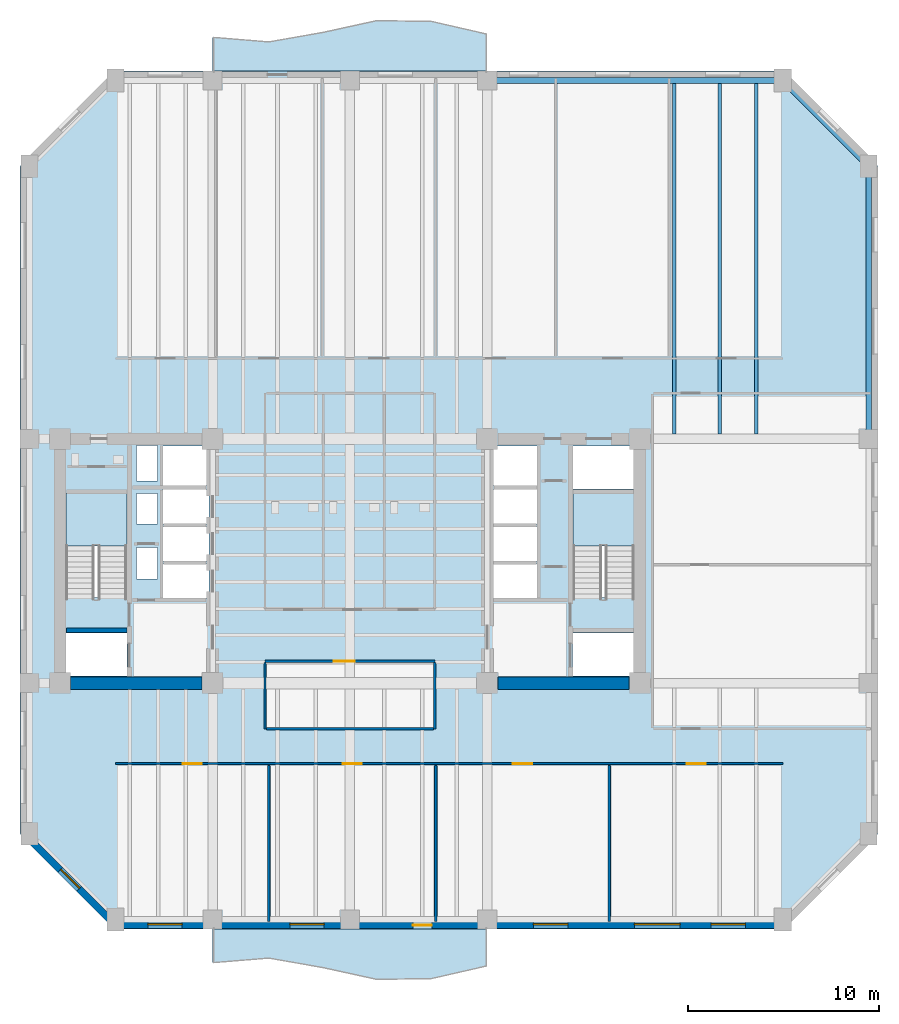
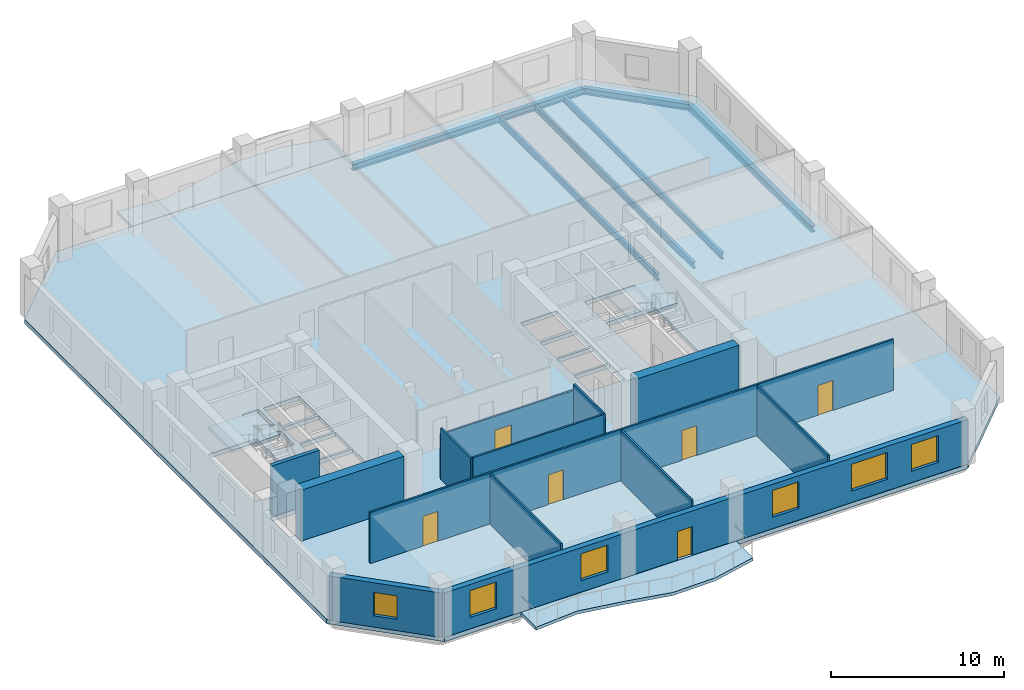
# One storey, part 2 of 8: 13 walls, 6 beams, 6 doors, 6 windows, 5 slabs, 12 openings, 2 elements without a shape of their own.
"""IFC4 building model written with IfcOpenShell, lengths in metres."""

from ifc_helpers import new_model, si_unit, direction, frame, frame_2d, origin, origin_2d, place, context, subcontext, project, spatial, polyline, rectangle, i_section, outline, extrude, material, layer, layer_set, material_profile, profile_set, type_object, element, fill, aggregate, save


model = new_model("IFC4")

# Units and contexts
model_context = context("Model", 3, precision=1e-05, world=origin(), true_north=direction((0.0, 1.0)))
body_context = subcontext(model_context, "Body", "Model", "MODEL_VIEW")
ifc_project = project(units=[si_unit("LENGTHUNIT", "METRE"), si_unit("AREAUNIT", "SQUARE_METRE"), si_unit("VOLUMEUNIT", "CUBIC_METRE"), si_unit("PLANEANGLEUNIT", "RADIAN"), si_unit("MASSUNIT", "GRAM", prefix="KILO")], contexts=[model_context])

# Site, building, storey
site_placement = place(None, origin())
site = spatial("IfcSite", under=ifc_project, at=site_placement, CompositionType="ELEMENT")
building_placement = place(site_placement, origin())
building = spatial("IfcBuilding", under=site, at=building_placement, Name="Kranthara Brick Stack", CompositionType="ELEMENT")
storey_placement = place(building_placement, frame((0.0, 0.0, 82.800048828125)))
storey = spatial("IfcBuildingStorey", under=building, at=storey_placement, Name="L20", CompositionType="ELEMENT", Elevation=82.800048828125)

# Beams
ifc_material_1 = material(Name="Steel S355", Category="steel")
ifc_material_profile_1 = material_profile(ifc_material_1, i_section(OverallWidth=0.18994140625, OverallDepth=0.449951171875, WebThickness=0.009521484375, FlangeThickness=0.0146484375, at=origin_2d()), Name="IPE 450")
ifc_profile_set_1 = profile_set([ifc_material_profile_1], Name="Steel S355")
beam_type_1 = type_object("IfcBeamType", Name="BM-JST-IPE450", PredefinedType="JOIST", material=ifc_profile_set_1)
for number, where, z_axis, x_axis, name in (
    (1, (45.0, 33.85009765625, -0.525146484375), (0.0, 1.0, 0.0), (-1.0, 0.0, 0.0), "L20 North Wing Floor Joist 071"),
    (2, (47.39990234375, 33.85009765625, -0.525146484375), (0.0, 1.0, 0.0), (-1.0, 0.0, 0.0), "L20 North Wing Floor Joist 073"),
    (3, (49.300048828125, 33.85009765625, -0.525146484375), (0.0, 1.0, 0.0), (-1.0, 0.0, 0.0), "L20 North Wing Floor Joist 075"),
):
    element("IfcBeam", number, at=place(storey_placement, frame(where, z_axis=z_axis, x_axis=x_axis)), inside=storey, type_object=beam_type_1, Name=name, PredefinedType="JOIST", context=body_context, shape_type="SweptSolid", body=[
        extrude(i_section(OverallWidth=0.18994140625, OverallDepth=0.449951171875, WebThickness=0.009521484375, FlangeThickness=0.0146484375, at=origin_2d()), origin(), (0.0, 0.0, 1.0), 18.39990234375),
    ])
ifc_material_2 = material(Name="Steel S355", Category="steel")
ifc_material_profile_2 = material_profile(ifc_material_2, i_section(OverallWidth=0.300048828125, OverallDepth=0.449951171875, WebThickness=0.013916015625, FlangeThickness=0.02587890625, at=origin_2d()), Name="HEB 450")
ifc_profile_set_2 = profile_set([ifc_material_profile_2], Name="Steel S355")
beam_type_2 = type_object("IfcBeamType", Name="BM-STL-HEB450", PredefinedType="SPANDREL", material=ifc_profile_set_2)
beam_1_placement = place(storey_placement, frame((35.199951171875, 52.39990234375, -0.525146484375), z_axis=(1.0, 0.0, 0.0), x_axis=(0.0, 1.0, 0.0)))
element("IfcBeam", 4, at=beam_1_placement, inside=storey, type_object=beam_type_2, Name="L20 Perimeter Spandrel Beam 012", PredefinedType="SPANDREL", context=body_context, shape_type="SweptSolid", body=[
    extrude(i_section(OverallWidth=0.300048828125, OverallDepth=0.449951171875, WebThickness=0.013916015625, FlangeThickness=0.02587890625, at=origin_2d()), origin(), (0.0, 0.0, 1.0), 15.5),
])
beam_2_placement = place(storey_placement, frame((55.199951171875, 33.60009765625, -0.525146484375), z_axis=(0.0, 1.0, 0.0), x_axis=(-1.0, 0.0, 0.0)))
element("IfcBeam", 5, at=beam_2_placement, inside=storey, type_object=beam_type_2, Name="L20 Perimeter Spandrel Beam 018", PredefinedType="SPANDREL", context=body_context, shape_type="SweptSolid", body=[
    extrude(i_section(OverallWidth=0.300048828125, OverallDepth=0.449951171875, WebThickness=0.013916015625, FlangeThickness=0.02587890625, at=origin_2d()), origin(), (0.0, 0.0, 1.0), 14.2998046875),
])
beam_3_placement = place(storey_placement, frame((50.699951171875, 52.39990234375, -0.525146484375), z_axis=(0.707106781187, -0.707106781187, 0.0), x_axis=(0.707106781187, 0.707106781187, 0.0)))
element("IfcBeam", 6, at=beam_3_placement, inside=storey, type_object=beam_type_2, Name="L20 Chamfer Corner Spandrel 022", PredefinedType="SPANDREL", context=body_context, shape_type="SweptSolid", body=[
    extrude(i_section(OverallWidth=0.300048828125, OverallDepth=0.449951171875, WebThickness=0.013916015625, FlangeThickness=0.02587890625, at=origin_2d()), origin(), (0.0, 0.0, 1.0), 6.364013671875),
])

# Slabs
ifc_material_3 = material(Name="Concrete C45/55", Category="concrete")
ifc_layer_1 = layer(ifc_material_3, 0.219970703125)
ifc_layer_set_1 = layer_set([ifc_layer_1], Name="Concrete C45/55")
slab_type_1 = type_object("IfcSlabType", Name="SLB-BALC-220", PredefinedType="FLOOR", material=ifc_layer_set_1)
slab_1_placement = place(storey_placement, frame((0.0, 0.0, -0.219970703125)))
element("IfcSlab", 7, at=slab_1_placement, inside=storey, type_object=slab_type_1, Name="L20 South Rippling Balcony Slab", PredefinedType="FLOOR", context=body_context, shape_type="SweptSolid", body=[
    extrude(outline(polyline([(20.800048828125, 7.89990234375), (35.199951171875, 7.89990234375), (35.199951171875, 5.958251953125), (32.320068359375, 5.2880859375), (29.43994140625, 5.230224609375), (26.56005859375, 5.857421875), (23.679931640625, 6.380859375), (20.800048828125, 6.142333984375), (20.800048828125, 7.89990234375)])), origin(), (0.0, 0.0, 1.0), 0.219970703125),
])
slab_2_placement = place(storey_placement, frame((0.0, 0.0, -0.219970703125)))
element("IfcSlab", 8, at=slab_2_placement, inside=storey, type_object=slab_type_1, Name="L20 North Rippling Balcony Slab", PredefinedType="FLOOR", context=body_context, shape_type="SweptSolid", body=[
    extrude(outline(polyline([(35.199951171875, 52.89990234375), (20.800048828125, 52.89990234375), (20.800048828125, 54.65771484375), (23.679931640625, 54.419189453125), (26.56005859375, 54.942626953125), (29.43994140625, 55.569580078125), (32.320068359375, 55.51171875), (35.199951171875, 54.841796875), (35.199951171875, 52.89990234375)])), origin(), (0.0, 0.0, 1.0), 0.219970703125),
])

# Stair, slab
ifc_material_4 = material(Name="Concrete C45/55", Category="concrete")
stair_type = type_object("IfcStairType", Name="ST-CORE-22R", PredefinedType="HALF_TURN_STAIR", material=ifc_material_4)
stair_1_placement = place(storey_placement, origin())
stair_1 = element("IfcStair", 9, at=stair_1_placement, inside=storey, type_object=stair_type, Name="L20 West Core Protected Exit Stair ST01", PredefinedType="HALF_TURN_STAIR")
ifc_material_5 = material(Name="Concrete C45/55", Category="concrete")
ifc_layer_2 = layer(ifc_material_5, 0.199951171875)
ifc_layer_set_2 = layer_set([ifc_layer_2], Name="Concrete C45/55")
slab_type_2 = type_object("IfcSlabType", Name="SLB-LANDING-200", PredefinedType="LANDING", material=ifc_layer_set_2)
slab_3_placement = place(storey_placement, frame((0.0, 0.0, 1.75)))
slab_3 = element("IfcSlab", 10, at=slab_3_placement, type_object=slab_type_2, Name="ST01 landing 1", PredefinedType="LANDING", context=body_context, shape_type="SweptSolid", body=[
    extrude(outline(polyline([(16.300048828125, 28.0), (16.300048828125, 30.75), (13.10009765625, 30.75), (13.10009765625, 28.0), (16.300048828125, 28.0)])), origin(), (0.0, 0.0, 1.0), 0.199951171875),
])
aggregate(stair_1, [slab_3])

stair_2_placement = place(storey_placement, origin())
stair_2 = element("IfcStair", 11, at=stair_2_placement, inside=storey, type_object=stair_type, Name="L20 East Core Protected Exit Stair ST02", PredefinedType="HALF_TURN_STAIR")
slab_4_placement = place(storey_placement, frame((0.0, 0.0, 1.75)))
slab_4 = element("IfcSlab", 12, at=slab_4_placement, type_object=slab_type_2, Name="ST02 landing 1", PredefinedType="LANDING", context=body_context, shape_type="SweptSolid", body=[
    extrude(outline(polyline([(42.89990234375, 28.0), (42.89990234375, 30.75), (39.699951171875, 30.75), (39.699951171875, 28.0), (42.89990234375, 28.0)])), origin(), (0.0, 0.0, 1.0), 0.199951171875),
])
aggregate(stair_2, [slab_4])

# Slab
ifc_material_6 = material(Name="Post-tensioned concrete C45/55", Category="concrete")
ifc_layer_3 = layer(ifc_material_6, 0.300048828125)
ifc_layer_set_3 = layer_set([ifc_layer_3], Name="Post-tensioned concrete C45/55")
slab_type_3 = type_object("IfcSlabType", Name="SLB-TWR-300", PredefinedType="FLOOR", material=ifc_layer_set_3)
slab_5_placement = place(storey_placement, frame((0.0, 0.0, -0.300048828125)))
element("IfcSlab", 13, at=slab_5_placement, inside=storey, type_object=slab_type_3, Name="L20 Structural Floor Plate", PredefinedType="FLOOR", context=body_context, shape_type="SweptSolid", body=[
    extrude(outline(polyline([(15.699951171875, 7.89990234375), (50.699951171875, 7.89990234375), (55.699951171875, 12.89990234375), (55.699951171875, 47.89990234375), (50.699951171875, 52.89990234375), (15.699951171875, 52.89990234375), (10.699951171875, 47.89990234375), (10.699951171875, 12.89990234375), (15.699951171875, 7.89990234375)]), holes=[polyline([(13.10009765625, 25.280029296875), (16.300048828125, 25.280029296875), (16.300048828125, 30.75), (13.10009765625, 30.75), (13.10009765625, 25.280029296875)]), polyline([(39.699951171875, 25.280029296875), (42.89990234375, 25.280029296875), (42.89990234375, 30.75), (39.699951171875, 30.75), (39.699951171875, 25.280029296875)]), polyline([(13.0, 21.179931640625), (16.320068359375, 21.179931640625), (16.320068359375, 23.419921875), (13.0, 23.419921875), (13.0, 21.179931640625)]), polyline([(39.679931640625, 21.179931640625), (43.0, 21.179931640625), (43.0, 23.419921875), (39.679931640625, 23.419921875), (39.679931640625, 21.179931640625)]), polyline([(39.679931640625, 30.97998046875), (43.0, 30.97998046875), (43.0, 33.219970703125), (39.679931640625, 33.219970703125), (39.679931640625, 30.97998046875)]), polyline([(18.199951171875, 25.25), (20.60009765625, 25.25), (20.60009765625, 27.050048828125), (18.199951171875, 27.050048828125), (18.199951171875, 25.25)]), polyline([(18.199951171875, 27.199951171875), (20.60009765625, 27.199951171875), (20.60009765625, 29.0), (18.199951171875, 29.0), (18.199951171875, 27.199951171875)]), polyline([(18.199951171875, 29.14990234375), (20.60009765625, 29.14990234375), (20.60009765625, 30.949951171875), (18.199951171875, 30.949951171875), (18.199951171875, 29.14990234375)]), polyline([(35.39990234375, 25.25), (37.800048828125, 25.25), (37.800048828125, 27.050048828125), (35.39990234375, 27.050048828125), (35.39990234375, 25.25)]), polyline([(35.39990234375, 27.199951171875), (37.800048828125, 27.199951171875), (37.800048828125, 29.0), (35.39990234375, 29.0), (35.39990234375, 27.199951171875)]), polyline([(35.39990234375, 29.14990234375), (37.800048828125, 29.14990234375), (37.800048828125, 30.949951171875), (35.39990234375, 30.949951171875), (35.39990234375, 29.14990234375)]), polyline([(18.199951171875, 31.14990234375), (20.60009765625, 31.14990234375), (20.60009765625, 33.219970703125), (18.199951171875, 33.219970703125), (18.199951171875, 31.14990234375)]), polyline([(35.39990234375, 31.14990234375), (37.800048828125, 31.14990234375), (37.800048828125, 33.219970703125), (35.39990234375, 33.219970703125), (35.39990234375, 31.14990234375)]), polyline([(16.800048828125, 26.25), (17.89990234375, 26.25), (17.89990234375, 27.89990234375), (16.800048828125, 27.89990234375), (16.800048828125, 26.25)]), polyline([(16.800048828125, 29.14990234375), (17.89990234375, 29.14990234375), (17.89990234375, 30.75), (16.800048828125, 30.75), (16.800048828125, 29.14990234375)]), polyline([(16.800048828125, 31.39990234375), (17.89990234375, 31.39990234375), (17.89990234375, 33.25), (16.800048828125, 33.25), (16.800048828125, 31.39990234375)])]), origin(), (0.0, 0.0, 1.0), 0.300048828125),
])

# Wall, openings, door, windows
ifc_material_7 = material(Name="Kiln-fired clay brick masonry M15", Category="masonry")
ifc_layer_4 = layer(ifc_material_7, 0.3798828125)
ifc_layer_set_4 = layer_set([ifc_layer_4], Name="Kiln-fired clay brick masonry M15")
wall_type_1 = type_object("IfcWallType", Name="WL-BRK-PIER-380", PredefinedType="STANDARD", material=ifc_layer_set_4)
wall_1_placement = place(storey_placement, frame((50.699951171875, 8.110107421875, 0.0), z_axis=(0.0, 0.0, 1.0), x_axis=(-1.0, 0.0, 0.0)))
wall_1 = element("IfcWall", 14, at=wall_1_placement, inside=storey, type_object=wall_type_1, Name="L20 Exterior Brick Facade Wall SOUTH 1", PredefinedType="STANDARD", context=body_context, shape_type="SweptSolid", body=[
    extrude(rectangle(XDim=35.0, YDim=0.3798828125, at=frame_2d((17.5, 0.0))), origin(), (0.0, 0.0, 1.0), 3.135009765625),
])
opening_1_placement = place(wall_1_placement, frame((18.39990234375, 0.0, 0.0)))
opening_1 = element("IfcOpeningElement", 15, at=opening_1_placement, cuts=wall_1, Name="Opening D03", PredefinedType="OPENING", context=body_context, shape_type="SweptSolid", body=[
    extrude(rectangle(XDim=1.0, YDim=2.02001953125, at=frame_2d((0.5, 1.010009765625))), frame((0.0, 0.199951171875, 0.0), z_axis=(0.0, -1.0, 0.0), x_axis=(1.0, 0.0, 0.0)), (0.0, 0.0, 1.0), 0.39990234375),
])
opening_2_placement = place(wall_1_placement, frame((1.965087890625, 0.0, 0.800048828125)))
opening_2 = element("IfcOpeningElement", 16, at=opening_2_placement, cuts=wall_1, Name="Opening WN01", PredefinedType="OPENING", context=body_context, shape_type="SweptSolid", body=[
    extrude(rectangle(XDim=1.800048828125, YDim=1.89990234375, at=frame_2d((0.89990234375, 0.949951171875))), frame((0.0, 0.199951171875, 0.0), z_axis=(0.0, -1.0, 0.0), x_axis=(1.0, 0.0, 0.0)), (0.0, 0.0, 1.0), 0.39990234375),
])
opening_3_placement = place(wall_1_placement, frame((5.385009765625, 0.0, 0.800048828125)))
opening_3 = element("IfcOpeningElement", 17, at=opening_3_placement, cuts=wall_1, Name="Opening WN02", PredefinedType="OPENING", context=body_context, shape_type="SweptSolid", body=[
    extrude(rectangle(XDim=2.39990234375, YDim=1.89990234375, at=frame_2d((1.199951171875, 0.949951171875))), frame((0.0, 0.199951171875, 0.0), z_axis=(0.0, -1.0, 0.0), x_axis=(1.0, 0.0, 0.0)), (0.0, 0.0, 1.0), 0.39990234375),
])
opening_4_placement = place(wall_1_placement, frame((11.27490234375, 0.0, 0.800048828125)))
opening_4 = element("IfcOpeningElement", 18, at=opening_4_placement, cuts=wall_1, Name="Opening WN01", PredefinedType="OPENING", context=body_context, shape_type="SweptSolid", body=[
    extrude(rectangle(XDim=1.800048828125, YDim=1.89990234375, at=frame_2d((0.89990234375, 0.949951171875))), frame((0.0, 0.199951171875, 0.0), z_axis=(0.0, -1.0, 0.0), x_axis=(1.0, 0.0, 0.0)), (0.0, 0.0, 1.0), 0.39990234375),
])
opening_5_placement = place(wall_1_placement, frame((24.050048828125, 0.0, 0.800048828125)))
opening_5 = element("IfcOpeningElement", 19, at=opening_5_placement, cuts=wall_1, Name="Opening WN01", PredefinedType="OPENING", context=body_context, shape_type="SweptSolid", body=[
    extrude(rectangle(XDim=1.800048828125, YDim=1.89990234375, at=frame_2d((0.89990234375, 0.949951171875))), frame((0.0, 0.199951171875, 0.0), z_axis=(0.0, -1.0, 0.0), x_axis=(1.0, 0.0, 0.0)), (0.0, 0.0, 1.0), 0.39990234375),
])
opening_6_placement = place(wall_1_placement, frame((31.5, 0.0, 0.800048828125)))
opening_6 = element("IfcOpeningElement", 20, at=opening_6_placement, cuts=wall_1, Name="Opening WN01", PredefinedType="OPENING", context=body_context, shape_type="SweptSolid", body=[
    extrude(rectangle(XDim=1.800048828125, YDim=1.89990234375, at=frame_2d((0.89990234375, 0.949951171875))), frame((0.0, 0.199951171875, 0.0), z_axis=(0.0, -1.0, 0.0), x_axis=(1.0, 0.0, 0.0)), (0.0, 0.0, 1.0), 0.39990234375),
])
ifc_material_8 = material(Name="Bronze anodised aluminium and laminated glass", Category="aluminium")
door_type_1 = type_object("IfcDoorType", Name="DR-BALC-1000", OperationType="NOTDEFINED", PredefinedType="DOOR", material=ifc_material_8)
door_1_placement = place(opening_1_placement, origin())
door_1 = element("IfcDoor", 21, at=door_1_placement, inside=storey, type_object=door_type_1, Name="L20 South Balcony Terrace Door", OperationType="SINGLE_SWING_LEFT", OverallHeight=2.02001953125, OverallWidth=1.0, PredefinedType="DOOR", context=body_context, shape_type="SweptSolid", body=[
    extrude(rectangle(XDim=1.0, YDim=2.02001953125, at=frame_2d((0.5, 1.010009765625))), frame((0.0, 0.02490234375, 0.0), z_axis=(0.0, -1.0, 0.0), x_axis=(1.0, 0.0, 0.0)), (0.0, 0.0, 1.0), 0.050048828125),
])
fill(opening_1, door_1)
ifc_material_9 = material(Name="Double-glazed low-E solar control glass", Category="glass")
window_type_1 = type_object("IfcWindowType", Name="WN-OFF-1800x2000", PartitioningType="SINGLE_PANEL", PredefinedType="WINDOW", material=ifc_material_9)
window_1_placement = place(opening_2_placement, origin())
window_1 = element("IfcWindow", 22, at=window_1_placement, inside=storey, type_object=window_type_1, Name="L20 South Deep-Set Brick Window 01", OverallHeight=1.89990234375, OverallWidth=1.800048828125, PartitioningType="SINGLE_PANEL", PredefinedType="WINDOW", context=body_context, shape_type="SweptSolid", body=[
    extrude(rectangle(XDim=1.800048828125, YDim=1.89990234375, at=frame_2d((0.89990234375, 0.949951171875))), frame((0.0, -0.010009765625, 0.0), z_axis=(0.0, -1.0, 0.0), x_axis=(1.0, 0.0, 0.0)), (0.0, 0.0, 1.0), 0.06005859375),
])
fill(opening_2, window_1)
window_2_placement = place(opening_4_placement, origin())
window_2 = element("IfcWindow", 23, at=window_2_placement, inside=storey, type_object=window_type_1, Name="L20 South Deep-Set Brick Window 03", OverallHeight=1.89990234375, OverallWidth=1.800048828125, PartitioningType="SINGLE_PANEL", PredefinedType="WINDOW", context=body_context, shape_type="SweptSolid", body=[
    extrude(rectangle(XDim=1.800048828125, YDim=1.89990234375, at=frame_2d((0.89990234375, 0.949951171875))), frame((0.0, -0.010009765625, 0.0), z_axis=(0.0, -1.0, 0.0), x_axis=(1.0, 0.0, 0.0)), (0.0, 0.0, 1.0), 0.06005859375),
])
fill(opening_4, window_2)
window_3_placement = place(opening_5_placement, origin())
window_3 = element("IfcWindow", 24, at=window_3_placement, inside=storey, type_object=window_type_1, Name="L20 South Deep-Set Brick Window 04", OverallHeight=1.89990234375, OverallWidth=1.800048828125, PartitioningType="SINGLE_PANEL", PredefinedType="WINDOW", context=body_context, shape_type="SweptSolid", body=[
    extrude(rectangle(XDim=1.800048828125, YDim=1.89990234375, at=frame_2d((0.89990234375, 0.949951171875))), frame((0.0, -0.010009765625, 0.0), z_axis=(0.0, -1.0, 0.0), x_axis=(1.0, 0.0, 0.0)), (0.0, 0.0, 1.0), 0.06005859375),
])
fill(opening_5, window_3)
window_4_placement = place(opening_6_placement, origin())
window_4 = element("IfcWindow", 25, at=window_4_placement, inside=storey, type_object=window_type_1, Name="L20 South Deep-Set Brick Window 05", OverallHeight=1.89990234375, OverallWidth=1.800048828125, PartitioningType="SINGLE_PANEL", PredefinedType="WINDOW", context=body_context, shape_type="SweptSolid", body=[
    extrude(rectangle(XDim=1.800048828125, YDim=1.89990234375, at=frame_2d((0.89990234375, 0.949951171875))), frame((0.0, -0.010009765625, 0.0), z_axis=(0.0, -1.0, 0.0), x_axis=(1.0, 0.0, 0.0)), (0.0, 0.0, 1.0), 0.06005859375),
])
fill(opening_6, window_4)
ifc_material_10 = material(Name="Double-glazed low-E solar control glass", Category="glass")
window_type_2 = type_object("IfcWindowType", Name="WN-OFF-2400x2000", PartitioningType="DOUBLE_PANEL_VERTICAL", PredefinedType="WINDOW", material=ifc_material_10)
window_5_placement = place(opening_3_placement, origin())
window_5 = element("IfcWindow", 26, at=window_5_placement, inside=storey, type_object=window_type_2, Name="L20 South Deep-Set Brick Window 02", OverallHeight=1.89990234375, OverallWidth=2.39990234375, PartitioningType="SINGLE_PANEL", PredefinedType="WINDOW", context=body_context, shape_type="SweptSolid", body=[
    extrude(rectangle(XDim=2.39990234375, YDim=1.89990234375, at=frame_2d((1.199951171875, 0.949951171875))), frame((0.0, -0.010009765625, 0.0), z_axis=(0.0, -1.0, 0.0), x_axis=(1.0, 0.0, 0.0)), (0.0, 0.0, 1.0), 0.06005859375),
])
fill(opening_3, window_5)

# Wall, opening, window
wall_2_placement = place(storey_placement, frame((15.699951171875, 8.110107421875, 0.0), z_axis=(0.0, 0.0, 1.0), x_axis=(-0.707124801467, 0.707088760447, 0.0)))
wall_2 = element("IfcWall", 27, at=wall_2_placement, inside=storey, type_object=wall_type_1, Name="L20 Exterior Brick Facade Wall SW 1", PredefinedType="STANDARD", context=body_context, shape_type="SweptSolid", body=[
    extrude(rectangle(XDim=6.77392578125, YDim=0.3798828125, at=frame_2d((3.386962890625, 0.0))), origin(), (0.0, 0.0, 1.0), 3.135009765625),
])
opening_7_placement = place(wall_2_placement, frame((2.68701171875, 0.0, 0.800048828125)))
opening_7 = element("IfcOpeningElement", 28, at=opening_7_placement, cuts=wall_2, Name="Opening WN10", PredefinedType="OPENING", context=body_context, shape_type="SweptSolid", body=[
    extrude(rectangle(XDim=1.39990234375, YDim=1.64990234375, at=frame_2d((0.699951171875, 0.824951171875))), frame((0.0, 0.199951171875, 0.0), z_axis=(0.0, -1.0, 0.0), x_axis=(1.0, 0.0, 0.0)), (0.0, 0.0, 1.0), 0.39990234375),
])
ifc_material_11 = material(Name="Double-glazed low-E solar control glass", Category="glass")
window_type_3 = type_object("IfcWindowType", Name="WN-CHM-1400x1750", PartitioningType="SINGLE_PANEL", PredefinedType="WINDOW", material=ifc_material_11)
window_6_placement = place(opening_7_placement, origin())
window_6 = element("IfcWindow", 29, at=window_6_placement, inside=storey, type_object=window_type_3, Name="L20 SW Chamfer Corner Window", OverallHeight=1.64990234375, OverallWidth=1.39990234375, PartitioningType="SINGLE_PANEL", PredefinedType="WINDOW", context=body_context, shape_type="SweptSolid", body=[
    extrude(rectangle(XDim=1.39990234375, YDim=1.64990234375, at=frame_2d((0.699951171875, 0.824951171875))), frame((0.0, -0.010009765625, 0.0), z_axis=(0.0, -1.0, 0.0), x_axis=(1.0, 0.0, 0.0)), (0.0, 0.0, 1.0), 0.06005859375),
])
fill(opening_7, window_6)

# Walls
ifc_material_12 = material(Name="Concrete C50/60", Category="concrete")
ifc_layer_5 = layer(ifc_material_12, 0.25)
ifc_layer_set_5 = layer_set([ifc_layer_5], Name="Concrete C50/60")
wall_type_2 = type_object("IfcWallType", Name="WL-CORE-250", PredefinedType="SHEAR", material=ifc_layer_set_5)
wall_3_placement = place(storey_placement, frame((13.135009765625, 23.570068359375, 0.0), z_axis=(0.0, 0.0, 1.0), x_axis=(1.0, 0.0, 0.0)))
element("IfcWall", 30, at=wall_3_placement, inside=storey, type_object=wall_type_2, Name="L20 West Stairwell Bearing Wall WFF", PredefinedType="SHEAR", context=body_context, shape_type="SweptSolid", body=[
    extrude(rectangle(XDim=3.175048828125, YDim=0.25, at=frame_2d((1.58740234375, 0.0))), origin(), (0.0, 0.0, 1.0), 3.599853515625),
])
ifc_material_13 = material(Name="Concrete C60/75", Category="concrete")
ifc_layer_6 = layer(ifc_material_13, 0.64990234375)
ifc_layer_set_6 = layer_set([ifc_layer_6], Name="Concrete C60/75")
wall_type_3 = type_object("IfcWallType", Name="WL-CORE-650", PredefinedType="SHEAR", material=ifc_layer_set_6)
for number, where, z_axis, x_axis, name in (
    (31, (13.35498046875, 20.800048828125, 0.0), (0.0, 0.0, 1.0), (1.0, 0.0, 0.0), "L20 West Core Shear Wall South"),
    (32, (35.7548828125, 20.800048828125, 0.0), (0.0, 0.0, 1.0), (1.0, 0.0, 0.0), "L20 East Core Shear Wall South"),
):
    element("IfcWall", number, at=place(storey_placement, frame(where, z_axis=z_axis, x_axis=x_axis)), inside=storey, type_object=wall_type_3, Name=name, PredefinedType="SHEAR", context=body_context, shape_type="SweptSolid", body=[
        extrude(rectangle(XDim=6.89013671875, YDim=0.64990234375, at=frame_2d((3.445068359375, 0.0))), origin(), (0.0, 0.0, 1.0), 3.599853515625),
    ])

# Wall, opening, door
ifc_material_14 = material(Name="Acoustic gypsum plasterboard partition", Category="other")
ifc_layer_7 = layer(ifc_material_14, 0.1201171875)
ifc_layer_set_7 = layer_set([ifc_layer_7], Name="Acoustic gypsum plasterboard partition")
wall_type_4 = type_object("IfcWallType", Name="WL-PART-120", PredefinedType="PARTITIONING", material=ifc_layer_set_7)
wall_4_placement = place(storey_placement, frame((23.550048828125, 21.949951171875, 0.0), z_axis=(0.0, 0.0, 1.0), x_axis=(1.0, 0.0, 0.0)))
wall_4 = element("IfcWall", 33, at=wall_4_placement, inside=storey, type_object=wall_type_4, Name="L20 Interior Partition 011", PredefinedType="PARTITIONING", context=body_context, shape_type="SweptSolid", body=[
    extrude(rectangle(XDim=8.89990234375, YDim=0.1201171875, at=frame_2d((4.449951171875, 0.0))), origin(), (0.0, 0.0, 1.0), 3.135009765625),
])
opening_8_placement = place(wall_4_placement, frame((3.60009765625, 0.0, 0.0)))
opening_8 = element("IfcOpeningElement", 34, at=opening_8_placement, cuts=wall_4, Name="Opening D11", PredefinedType="OPENING", context=body_context, shape_type="SweptSolid", body=[
    extrude(rectangle(XDim=1.10009765625, YDim=2.14990234375, at=frame_2d((0.550048828125, 1.074951171875))), frame((0.0, 0.070068359375, 0.0), z_axis=(0.0, -1.0, 0.0), x_axis=(1.0, 0.0, 0.0)), (0.0, 0.0, 1.0), 0.14013671875),
])
ifc_material_15 = material(Name="Solid-core hardwood timber leaf in steel frame", Category="steel")
door_type_2 = type_object("IfcDoorType", Name="DR-INT-1100", OperationType="NOTDEFINED", PredefinedType="DOOR", material=ifc_material_15)
door_2_placement = place(opening_8_placement, origin())
door_2 = element("IfcDoor", 35, at=door_2_placement, inside=storey, type_object=door_type_2, Name="L20 Internal Briefing Room 08", OperationType="SINGLE_SWING_RIGHT", OverallHeight=2.14990234375, OverallWidth=1.10009765625, PredefinedType="DOOR", context=body_context, shape_type="SweptSolid", body=[
    extrude(rectangle(XDim=1.10009765625, YDim=2.14990234375, at=frame_2d((0.550048828125, 1.074951171875))), frame((0.0, 0.02490234375, 0.0), z_axis=(0.0, -1.0, 0.0), x_axis=(1.0, 0.0, 0.0)), (0.0, 0.0, 1.0), 0.050048828125),
])
fill(opening_8, door_2)

# Walls
for number, where, z_axis, x_axis, name in (
    (36, (23.550048828125, 18.39990234375, 0.0), (0.0, 0.0, 1.0), (0.0, 1.0, 0.0), "L20 Interior Partition 012"),
    (37, (32.449951171875, 18.39990234375, 0.0), (0.0, 0.0, 1.0), (0.0, 1.0, 0.0), "L20 Interior Partition 013"),
):
    element("IfcWall", number, at=place(storey_placement, frame(where, z_axis=z_axis, x_axis=x_axis)), inside=storey, type_object=wall_type_4, Name=name, PredefinedType="PARTITIONING", context=body_context, shape_type="SweptSolid", body=[
        extrude(rectangle(XDim=3.485107421875, YDim=0.1201171875, at=frame_2d((1.74267578125, 0.0))), origin(), (0.0, 0.0, 1.0), 3.599853515625),
    ])
wall_5_placement = place(storey_placement, frame((23.614990234375, 18.39990234375, 0.0), z_axis=(0.0, 0.0, 1.0), x_axis=(1.0, 0.0, 0.0)))
element("IfcWall", 38, at=wall_5_placement, inside=storey, type_object=wall_type_4, Name="L20 Interior Partition 014", PredefinedType="PARTITIONING", context=body_context, shape_type="SweptSolid", body=[
    extrude(rectangle(XDim=8.77001953125, YDim=0.1201171875, at=frame_2d((4.385009765625, 0.0))), origin(), (0.0, 0.0, 1.0), 3.599853515625),
])

# Wall, openings, doors
wall_6_placement = place(storey_placement, frame((15.699951171875, 16.580078125, 0.0), z_axis=(0.0, 0.0, 1.0), x_axis=(1.0, 0.0, 0.0)))
wall_6 = element("IfcWall", 39, at=wall_6_placement, inside=storey, type_object=wall_type_4, Name="L20 Interior Partition 015", PredefinedType="PARTITIONING", context=body_context, shape_type="SweptSolid", body=[
    extrude(rectangle(XDim=35.0, YDim=0.1201171875, at=frame_2d((17.5, 0.0))), origin(), (0.0, 0.0, 1.0), 3.599853515625),
])
opening_9_placement = place(wall_6_placement, frame((3.52490234375, 0.0, 0.0)))
opening_9 = element("IfcOpeningElement", 40, at=opening_9_placement, cuts=wall_6, Name="Opening D13", PredefinedType="OPENING", context=body_context, shape_type="SweptSolid", body=[
    extrude(rectangle(XDim=1.0, YDim=2.10009765625, at=frame_2d((0.5, 1.050048828125))), frame((0.0, 0.070068359375, 0.0), z_axis=(0.0, -1.0, 0.0), x_axis=(1.0, 0.0, 0.0)), (0.0, 0.0, 1.0), 0.14013671875),
])
opening_10_placement = place(wall_6_placement, frame((11.925048828125, 0.0, 0.0)))
opening_10 = element("IfcOpeningElement", 41, at=opening_10_placement, cuts=wall_6, Name="Opening D13", PredefinedType="OPENING", context=body_context, shape_type="SweptSolid", body=[
    extrude(rectangle(XDim=1.0, YDim=2.10009765625, at=frame_2d((0.5, 1.050048828125))), frame((0.0, 0.070068359375, 0.0), z_axis=(0.0, -1.0, 0.0), x_axis=(1.0, 0.0, 0.0)), (0.0, 0.0, 1.0), 0.14013671875),
])
opening_11_placement = place(wall_6_placement, frame((20.85009765625, 0.0, 0.0)))
opening_11 = element("IfcOpeningElement", 42, at=opening_11_placement, cuts=wall_6, Name="Opening D13", PredefinedType="OPENING", context=body_context, shape_type="SweptSolid", body=[
    extrude(rectangle(XDim=1.0, YDim=2.10009765625, at=frame_2d((0.5, 1.050048828125))), frame((0.0, 0.070068359375, 0.0), z_axis=(0.0, -1.0, 0.0), x_axis=(1.0, 0.0, 0.0)), (0.0, 0.0, 1.0), 0.14013671875),
])
opening_12_placement = place(wall_6_placement, frame((29.949951171875, 0.0, 0.0)))
opening_12 = element("IfcOpeningElement", 43, at=opening_12_placement, cuts=wall_6, Name="Opening D13", PredefinedType="OPENING", context=body_context, shape_type="SweptSolid", body=[
    extrude(rectangle(XDim=1.0, YDim=2.10009765625, at=frame_2d((0.5, 1.050048828125))), frame((0.0, 0.070068359375, 0.0), z_axis=(0.0, -1.0, 0.0), x_axis=(1.0, 0.0, 0.0)), (0.0, 0.0, 1.0), 0.14013671875),
])
ifc_material_16 = material(Name="Solid-core hardwood timber leaf in steel frame", Category="steel")
door_type_3 = type_object("IfcDoorType", Name="DR-INT-1000", OperationType="NOTDEFINED", PredefinedType="DOOR", material=ifc_material_16)
door_3_placement = place(opening_9_placement, origin())
door_3 = element("IfcDoor", 44, at=door_3_placement, inside=storey, type_object=door_type_3, Name="L20 Meeting Room 09", OperationType="SINGLE_SWING_LEFT", OverallHeight=2.10009765625, OverallWidth=1.0, PredefinedType="DOOR", context=body_context, shape_type="SweptSolid", body=[
    extrude(rectangle(XDim=1.0, YDim=2.10009765625, at=frame_2d((0.5, 1.050048828125))), frame((0.0, 0.02490234375, 0.0), z_axis=(0.0, -1.0, 0.0), x_axis=(1.0, 0.0, 0.0)), (0.0, 0.0, 1.0), 0.050048828125),
])
fill(opening_9, door_3)
door_4_placement = place(opening_10_placement, origin())
door_4 = element("IfcDoor", 45, at=door_4_placement, inside=storey, type_object=door_type_3, Name="L20 Meeting Room 10", OperationType="SINGLE_SWING_RIGHT", OverallHeight=2.10009765625, OverallWidth=1.0, PredefinedType="DOOR", context=body_context, shape_type="SweptSolid", body=[
    extrude(rectangle(XDim=1.0, YDim=2.10009765625, at=frame_2d((0.5, 1.050048828125))), frame((0.0, 0.02490234375, 0.0), z_axis=(0.0, -1.0, 0.0), x_axis=(1.0, 0.0, 0.0)), (0.0, 0.0, 1.0), 0.050048828125),
])
fill(opening_10, door_4)
door_5_placement = place(opening_11_placement, origin())
door_5 = element("IfcDoor", 46, at=door_5_placement, inside=storey, type_object=door_type_3, Name="L20 Boardroom 11", OperationType="SINGLE_SWING_LEFT", OverallHeight=2.10009765625, OverallWidth=1.0, PredefinedType="DOOR", context=body_context, shape_type="SweptSolid", body=[
    extrude(rectangle(XDim=1.0, YDim=2.10009765625, at=frame_2d((0.5, 1.050048828125))), frame((0.0, 0.02490234375, 0.0), z_axis=(0.0, -1.0, 0.0), x_axis=(1.0, 0.0, 0.0)), (0.0, 0.0, 1.0), 0.050048828125),
])
fill(opening_11, door_5)
door_6_placement = place(opening_12_placement, origin())
door_6 = element("IfcDoor", 47, at=door_6_placement, inside=storey, type_object=door_type_3, Name="L20 Collaboration Lounge 12", OperationType="SINGLE_SWING_RIGHT", OverallHeight=2.10009765625, OverallWidth=1.0, PredefinedType="DOOR", context=body_context, shape_type="SweptSolid", body=[
    extrude(rectangle(XDim=1.0, YDim=2.10009765625, at=frame_2d((0.5, 1.050048828125))), frame((0.0, 0.02490234375, 0.0), z_axis=(0.0, -1.0, 0.0), x_axis=(1.0, 0.0, 0.0)), (0.0, 0.0, 1.0), 0.050048828125),
])
fill(opening_12, door_6)

# Walls
for number, where, z_axis, x_axis, name in (
    (48, (23.75, 8.304931640625, 0.0), (0.0, 0.0, 1.0), (0.0, 1.0, 0.0), "L20 Interior Partition 016"),
    (49, (32.5, 8.304931640625, 0.0), (0.0, 0.0, 1.0), (0.0, 1.0, 0.0), "L20 Interior Partition 017"),
    (50, (41.60009765625, 8.304931640625, 0.0), (0.0, 0.0, 1.0), (0.0, 1.0, 0.0), "L20 Interior Partition 018"),
):
    element("IfcWall", number, at=place(storey_placement, frame(where, z_axis=z_axis, x_axis=x_axis)), inside=storey, type_object=wall_type_4, Name=name, PredefinedType="PARTITIONING", context=body_context, shape_type="SweptSolid", body=[
        extrude(rectangle(XDim=8.175048828125, YDim=0.1201171875, at=frame_2d((4.08740234375, 0.0))), origin(), (0.0, 0.0, 1.0), 3.599853515625),
    ])

save(model, "model.ifc")
